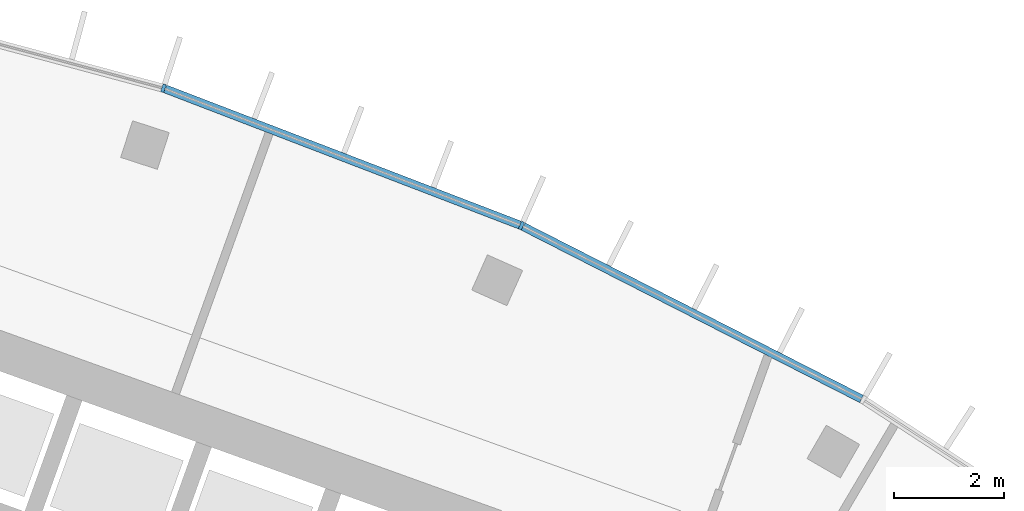
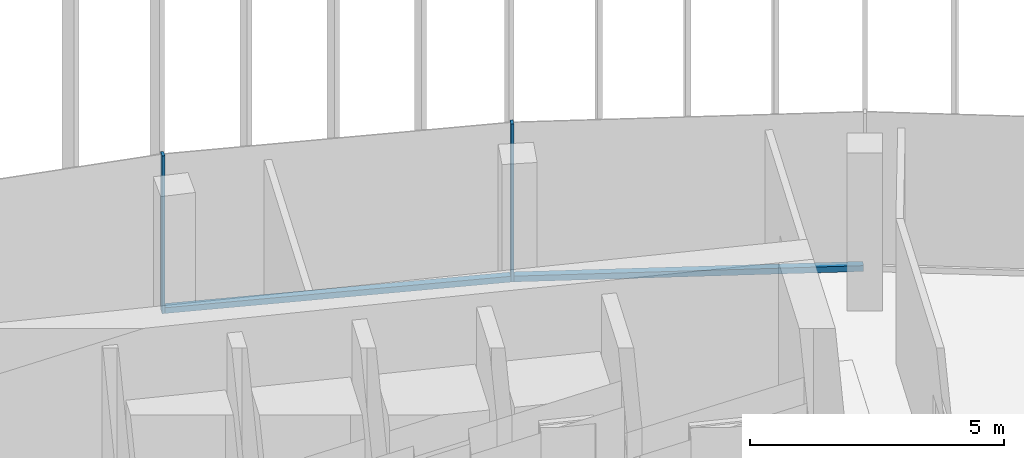
# One storey, part 10 of 19: 4 members, 1 element without a shape of its own.
"""IFC4 building model written with IfcOpenShell, lengths in metres."""

import ifcopenshell
import ifcopenshell.guid

model = None  # the IFC model being written
_history = None  # IfcOwnerHistory: only IFC2X3 demands one
_inside = {}  # id of a spatial element -> (the spatial element, [elements in it])
_under = {}  # id of a project, library or spatial element -> (it, [spatial elements below it])
_declared = {}  # id of a project -> (the project, [libraries it declares])
_typed = {}  # id of a type object -> (the type object, [elements of that type])
_made_of = {}  # id of a material, layer set ... -> (it, [elements and type objects made of it])


def new_model(schema):
    """Start an empty IFC model of exactly this schema.

    Asked for "IFC4X3", IfcOpenShell would pick the latest addendum, in which some entities
    have other attributes; the version numbers below select the first issue.
    IFC2X3 requires an IfcOwnerHistory on every rooted entity: one is made here for all.
    """
    global model, _history
    if schema == "IFC4X3":
        model = ifcopenshell.file(schema_version=(4, 3, 0, 0))
    else:
        model = ifcopenshell.file(schema=schema)
    _inside.clear()
    _under.clear()
    _declared.clear()
    _typed.clear()
    _made_of.clear()
    _history = None
    if model.schema == "IFC2X3":
        org = make("IfcOrganization", Name="unknown")
        user = make(
            "IfcPersonAndOrganization",
            ThePerson=make("IfcPerson", FamilyName="unknown"),
            TheOrganization=org,
        )
        app = make(
            "IfcApplication",
            ApplicationDeveloper=org,
            Version="unknown",
            ApplicationFullName="unknown",
            ApplicationIdentifier="unknown",
        )
        _history = make(
            "IfcOwnerHistory",
            OwningUser=user,
            OwningApplication=app,
            ChangeAction="ADDED",
            CreationDate=0,
        )
    return model


def make(cls, **values):
    """One entity of the class cls with the attributes given. An attribute that is None is left unset."""
    return model.create_entity(
        cls, **{name: value for name, value in values.items() if value is not None}
    )


def rooted(cls, **values):
    """An entity with a GlobalId (a new one), such as an element, a storey or a relation."""
    return make(cls, GlobalId=ifcopenshell.guid.new(), OwnerHistory=_history, **values)


def si_unit(unit_type, name, prefix=None):
    """IfcSIUnit, for example si_unit("LENGTHUNIT", "METRE", prefix="MILLI")."""
    return make("IfcSIUnit", UnitType=unit_type, Prefix=prefix, Name=name)


def assignment(units):
    """IfcUnitAssignment: the units of a project."""
    return None if units is None else make("IfcUnitAssignment", Units=units)


def point(xyz):
    """IfcCartesianPoint."""
    return None if xyz is None else make("IfcCartesianPoint", Coordinates=xyz)


def direction(xyz):
    """IfcDirection."""
    return None if xyz is None else make("IfcDirection", DirectionRatios=xyz)


def frame(location, z_axis=None, x_axis=None):
    """IfcAxis2Placement3D, a coordinate frame: its origin and axes. An axis left out is left unset."""
    return make(
        "IfcAxis2Placement3D",
        Location=point(location),
        Axis=direction(z_axis),
        RefDirection=direction(x_axis),
    )


def frame_2d(location, x_axis=None):
    """IfcAxis2Placement2D, a coordinate frame in the plane: its origin and x axis."""
    return make(
        "IfcAxis2Placement2D", Location=point(location), RefDirection=direction(x_axis)
    )


def origin():
    """The frame at (0, 0, 0) with its axes left unset."""
    return frame((0.0, 0.0, 0.0))


def origin_2d():
    """The frame at (0, 0) in the plane with its x axis left unset."""
    return frame_2d((0.0, 0.0))


def place(relative_to, where):
    """IfcLocalPlacement: puts the frame where relative to a parent placement (None: the world)."""
    return make(
        "IfcLocalPlacement", PlacementRelTo=relative_to, RelativePlacement=where
    )


def context(
    kind, dimensions, precision=None, world=None, true_north=None, identifier=None
):
    """IfcGeometricRepresentationContext, for example the 3D "Model" context."""
    return make(
        "IfcGeometricRepresentationContext",
        ContextIdentifier=identifier,
        ContextType=kind,
        CoordinateSpaceDimension=dimensions,
        Precision=precision,
        WorldCoordinateSystem=world,
        TrueNorth=true_north,
    )


def subcontext(parent, identifier, kind, view, scale=None):
    """IfcGeometricRepresentationSubContext, for example "Body" below "Model"."""
    return make(
        "IfcGeometricRepresentationSubContext",
        ContextIdentifier=identifier,
        ContextType=kind,
        ParentContext=parent,
        TargetScale=scale,
        TargetView=view,
    )


def project(units=None, contexts=None):
    """IfcProject with its units and contexts."""
    return rooted(
        "IfcProject",
        Name="project",
        RepresentationContexts=contexts,
        UnitsInContext=assignment(units),
    )


def spatial(cls, under=None, at=None, **own):
    """A site, building, storey or space (cls), placed at a placement, below another one or the project."""
    s = rooted(cls, ObjectPlacement=at, **own)
    if under is not None:
        _under.setdefault(under.id(), (under, []))[1].append(s)
    return s


def profile(cls, at=None, kind="AREA", **sizes):
    """A parametric profile (cls). Its sizes go by their IFC names, for example OverallWidth=200.0."""
    return make(cls, ProfileType=kind, Position=at, **sizes)


def rectangle(**sizes):
    """IfcRectangleProfileDef."""
    return profile("IfcRectangleProfileDef", **sizes)


def extrude(swept, where, along, depth):
    """IfcExtrudedAreaSolid: the profile swept, set in the frame where, extruded along a direction by depth."""
    return make(
        "IfcExtrudedAreaSolid",
        SweptArea=swept,
        Position=where,
        ExtrudedDirection=direction(along),
        Depth=depth,
    )


def shape(context_of_items, identifier, shape_type, items):
    """IfcShapeRepresentation: the items that make up one representation, for example the "Body"."""
    return make(
        "IfcShapeRepresentation",
        ContextOfItems=context_of_items,
        RepresentationIdentifier=identifier,
        RepresentationType=shape_type,
        Items=items,
    )


def material(Name=None, Category=None):
    """IfcMaterial."""
    return make("IfcMaterial", Name=Name, Category=Category)


def layer(
    of_material, thickness, ventilated=None, Name=None, Category=None, Priority=None
):
    """IfcMaterialLayer: one layer of a wall or slab, of a material (None: an air gap)."""
    return make(
        "IfcMaterialLayer",
        Material=of_material,
        LayerThickness=thickness,
        IsVentilated=ventilated,
        Name=Name,
        Category=Category,
        Priority=Priority,
    )


def layer_set(layers, Name=None):
    """IfcMaterialLayerSet."""
    return make("IfcMaterialLayerSet", MaterialLayers=layers, LayerSetName=Name)


def material_profile(
    of_material, cross_section, Name=None, Category=None, Priority=None
):
    """IfcMaterialProfile: a cross section and its material."""
    return make(
        "IfcMaterialProfile",
        Name=Name,
        Material=of_material,
        Profile=cross_section,
        Priority=Priority,
        Category=Category,
    )


def profile_set(profiles, Name=None, composite=None):
    """IfcMaterialProfileSet."""
    return make(
        "IfcMaterialProfileSet",
        Name=Name,
        MaterialProfiles=profiles,
        CompositeProfile=composite,
    )


def made_of(thing, what):
    """Note that an element or type object is made of a material, layer set ...; save() writes the relation."""
    if what is not None:
        _made_of.setdefault(what.id(), (what, []))[1].append(thing)
    return thing


def type_object(cls, material=None, **own):
    """A type object (cls), such as IfcWallType, which elements share."""
    return made_of(rooted(cls, **own), material)


def element(
    cls,
    number,
    at=None,
    inside=None,
    cuts=None,
    type_object=None,
    material=None,
    context=None,
    identifier="Body",
    shape_type=None,
    held_by="IfcProductDefinitionShape",
    body=None,
    shapes=None,
    **own,
):
    """One element of the class cls, such as IfcWall. Its Tag is "e" and its number.

    at: its placement. inside: the storey or other place that contains it. cuts: it is an
    opening in that element (IfcRelVoidsElement). A single representation is given by context,
    identifier, shape_type and body (its items); several are given by shapes. held_by: the class
    of the entity that holds the representations. save() writes the other relations.
    """
    e = rooted(cls, Tag="e%d" % number, ObjectPlacement=at, **own)
    if body is not None:
        shapes = [shape(context, identifier, shape_type, body)]
    if shapes is not None:
        e.Representation = make(held_by, Representations=shapes)
    if inside is not None:
        _inside.setdefault(inside.id(), (inside, []))[1].append(e)
    if cuts is not None:
        rooted(
            "IfcRelVoidsElement", RelatingBuildingElement=cuts, RelatedOpeningElement=e
        )
    if type_object is not None:
        _typed.setdefault(type_object.id(), (type_object, []))[1].append(e)
    return made_of(e, material)


def aggregate(whole, parts):
    """IfcRelAggregates: a whole, such as a stair, and the parts it consists of."""
    return rooted("IfcRelAggregates", RelatingObject=whole, RelatedObjects=parts)


def save(model, path):
    """Write the relations noted so far, then the file.

    IfcRelAggregates (storeys below a building ...), IfcRelContainedInSpatialStructure (elements
    in a storey), IfcRelDefinesByType, IfcRelAssociatesMaterial and IfcRelDeclares: one each for
    every whole, place, type object, material and project.
    """
    for whole, parts in _under.values():
        aggregate(whole, parts)
    for where, things in _inside.values():
        rooted(
            "IfcRelContainedInSpatialStructure",
            RelatedElements=things,
            RelatingStructure=where,
        )
    for kind, things in _typed.values():
        rooted("IfcRelDefinesByType", RelatedObjects=things, RelatingType=kind)
    for what, things in _made_of.values():
        rooted("IfcRelAssociatesMaterial", RelatedObjects=things, RelatingMaterial=what)
    for by, libraries in _declared.values():
        rooted("IfcRelDeclares", RelatingContext=by, RelatedDefinitions=libraries)
    model.write(path)


model = new_model("IFC4")

# Units and contexts
model_context = context("Model", 3, precision=1e-05, world=origin(), true_north=direction((0.0, 1.0)))
body_context = subcontext(model_context, "Body", "Model", "MODEL_VIEW")
ifc_project = project(units=[si_unit("LENGTHUNIT", "METRE"), si_unit("AREAUNIT", "SQUARE_METRE"), si_unit("VOLUMEUNIT", "CUBIC_METRE"), si_unit("PLANEANGLEUNIT", "RADIAN"), si_unit("MASSUNIT", "GRAM", prefix="KILO")], contexts=[model_context])

# Site, building, storey
site_placement = place(None, origin())
site = spatial("IfcSite", under=ifc_project, at=site_placement, CompositionType="ELEMENT")
building_placement = place(site_placement, origin())
building = spatial("IfcBuilding", under=site, at=building_placement, Name="Stone Belt Terrace Tower", CompositionType="ELEMENT")
storey_placement = place(building_placement, frame((0.0, 0.0, 258.0)))
storey = spatial("IfcBuildingStorey", under=building, at=storey_placement, Name="L62", CompositionType="ELEMENT", Elevation=258.0)

# Curtain wall, members
ifc_material = material(Name="Aluminium 6063-T6 anodised frame", Category="aluminium")
ifc_layer = layer(ifc_material, 0.14990234375)
ifc_layer_set = layer_set([ifc_layer], Name="CW-A unitised convex-face curtain wall")
curtain_wall_type = type_object("IfcCurtainWallType", Name="CW-A unitised convex-face curtain wall", PredefinedType="NOTDEFINED", material=ifc_layer_set)
curtain_wall_placement = place(storey_placement, origin())
curtain_wall = element("IfcCurtainWall", 1, at=curtain_wall_placement, inside=storey, type_object=curtain_wall_type, Name="CW-A convex face L62", PredefinedType="NOTDEFINED")
ifc_material_profile_1 = material_profile(ifc_material, rectangle(XDim=0.14990234375, YDim=0.06005859375, at=origin_2d()), Name="Aluminium 6063-T6 60x150")
ifc_profile_set_1 = profile_set([ifc_material_profile_1], Name="Aluminium 6063-T6 anodised frame")
member_type_1 = type_object("IfcMemberType", Name="CW-A mullion 60 x 150", PredefinedType="MULLION", material=ifc_profile_set_1)
member_1_placement = place(storey_placement, frame((27.07861328125, 60.8193359375, 0.0), z_axis=(0.0, 0.0, 1.0), x_axis=(-0.406736643076, -0.913545457643, 0.0)))
member_1 = element("IfcMember", 2, at=member_1_placement, type_object=member_type_1, Name="CW-A mullion 4", PredefinedType="MULLION", context=body_context, shape_type="SweptSolid", body=[
    extrude(rectangle(XDim=0.14990234375, YDim=0.06005859375, at=origin_2d()), origin(), (0.0, 0.0, 1.0), 3.800048828125),
])
member_2_placement = place(storey_placement, frame((20.57275390625, 63.316650390625, 0.0), z_axis=(0.0, 0.0, 1.0), x_axis=(-0.309016994375, -0.951056516295, 0.0)))
member_2 = element("IfcMember", 3, at=member_2_placement, type_object=member_type_1, Name="CW-A mullion 5", PredefinedType="MULLION", context=body_context, shape_type="SweptSolid", body=[
    extrude(rectangle(XDim=0.14990234375, YDim=0.06005859375, at=origin_2d()), origin(), (0.0, 0.0, 1.0), 3.800048828125),
])
ifc_material_profile_2 = material_profile(ifc_material, rectangle(XDim=0.14990234375, YDim=0.139892578125, at=origin_2d()), Name="Aluminium 6063-T6 150x140")
ifc_profile_set_2 = profile_set([ifc_material_profile_2], Name="Aluminium 6063-T6 anodised frame")
member_type_2 = type_object("IfcMemberType", Name="CW-A transom 140 x 150", PredefinedType="USERDEFINED", material=ifc_profile_set_2)
member_3_placement = place(storey_placement, frame((33.25732421875, 57.671142578125, 0.070068359375), z_axis=(-0.891012226264, 0.453979308613, 0.0), x_axis=(-0.453979308613, -0.891012226264, 0.0)))
member_3 = element("IfcMember", 4, at=member_3_placement, type_object=member_type_2, Name="CW-A transom 3.1", ObjectType="TRANSOM", PredefinedType="USERDEFINED", context=body_context, shape_type="SweptSolid", body=[
    extrude(rectangle(XDim=0.14990234375, YDim=0.139892578125, at=origin_2d()), origin(), (0.0, 0.0, 1.0), 6.90087890625),
])
member_4_placement = place(storey_placement, frame((27.046875, 60.83154296875, 0.070068359375), z_axis=(-0.933585210269, 0.358355487146, 0.0), x_axis=(-0.358355487146, -0.933585210269, 0.0)))
member_4 = element("IfcMember", 5, at=member_4_placement, type_object=member_type_2, Name="CW-A transom 4.1", ObjectType="TRANSOM", PredefinedType="USERDEFINED", context=body_context, shape_type="SweptSolid", body=[
    extrude(rectangle(XDim=0.14990234375, YDim=0.139892578125, at=origin_2d()), origin(), (0.0, 0.0, 1.0), 6.900634765625),
])
aggregate(curtain_wall, [member_1, member_2, member_3, member_4])

save(model, "model.ifc")
